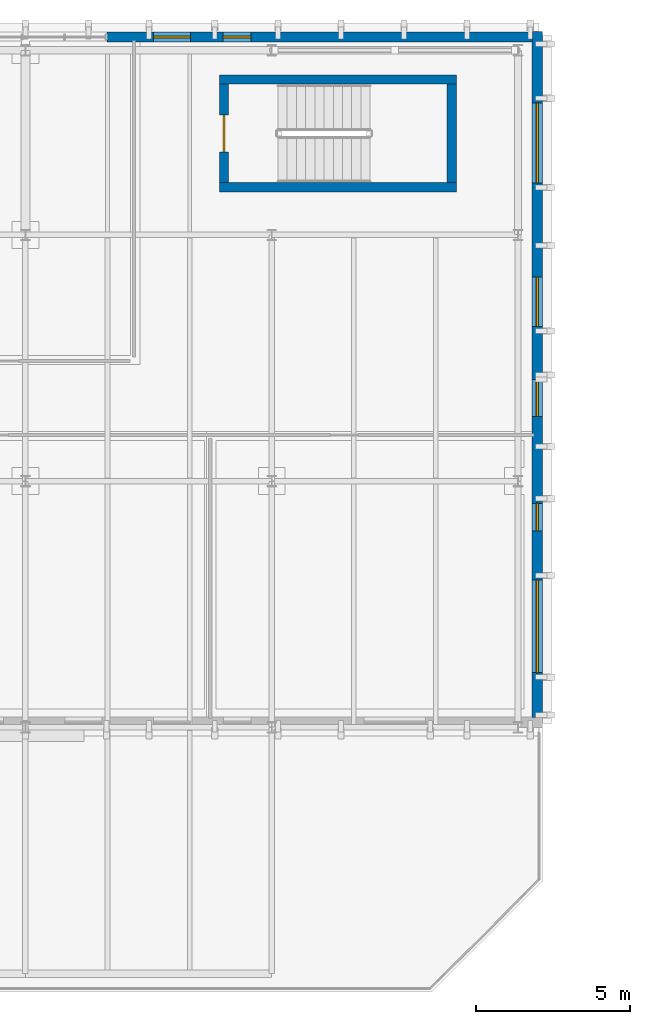
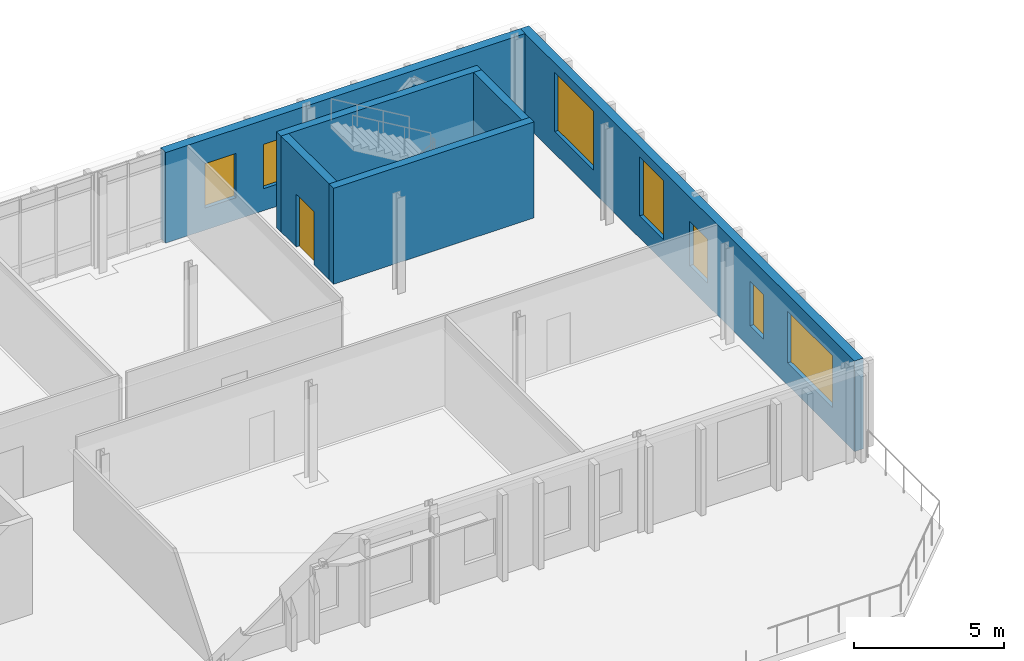
# One storey, part 27 of 43: 7 windows, 6 walls, 1 door, 8 openings.
"""IFC4 building model written with IfcOpenShell, lengths in metres."""

import ifcopenshell
import ifcopenshell.guid

model = None  # the IFC model being written
_history = None  # IfcOwnerHistory: only IFC2X3 demands one
_inside = {}  # id of a spatial element -> (the spatial element, [elements in it])
_under = {}  # id of a project, library or spatial element -> (it, [spatial elements below it])
_declared = {}  # id of a project -> (the project, [libraries it declares])
_typed = {}  # id of a type object -> (the type object, [elements of that type])
_made_of = {}  # id of a material, layer set ... -> (it, [elements and type objects made of it])


def new_model(schema):
    """Start an empty IFC model of exactly this schema.

    Asked for "IFC4X3", IfcOpenShell would pick the latest addendum, in which some entities
    have other attributes; the version numbers below select the first issue.
    IFC2X3 requires an IfcOwnerHistory on every rooted entity: one is made here for all.
    """
    global model, _history
    if schema == "IFC4X3":
        model = ifcopenshell.file(schema_version=(4, 3, 0, 0))
    else:
        model = ifcopenshell.file(schema=schema)
    _inside.clear()
    _under.clear()
    _declared.clear()
    _typed.clear()
    _made_of.clear()
    _history = None
    if model.schema == "IFC2X3":
        org = make("IfcOrganization", Name="unknown")
        user = make(
            "IfcPersonAndOrganization",
            ThePerson=make("IfcPerson", FamilyName="unknown"),
            TheOrganization=org,
        )
        app = make(
            "IfcApplication",
            ApplicationDeveloper=org,
            Version="unknown",
            ApplicationFullName="unknown",
            ApplicationIdentifier="unknown",
        )
        _history = make(
            "IfcOwnerHistory",
            OwningUser=user,
            OwningApplication=app,
            ChangeAction="ADDED",
            CreationDate=0,
        )
    return model


def make(cls, **values):
    """One entity of the class cls with the attributes given. An attribute that is None is left unset."""
    return model.create_entity(
        cls, **{name: value for name, value in values.items() if value is not None}
    )


def rooted(cls, **values):
    """An entity with a GlobalId (a new one), such as an element, a storey or a relation."""
    return make(cls, GlobalId=ifcopenshell.guid.new(), OwnerHistory=_history, **values)


def si_unit(unit_type, name, prefix=None):
    """IfcSIUnit, for example si_unit("LENGTHUNIT", "METRE", prefix="MILLI")."""
    return make("IfcSIUnit", UnitType=unit_type, Prefix=prefix, Name=name)


def assignment(units):
    """IfcUnitAssignment: the units of a project."""
    return None if units is None else make("IfcUnitAssignment", Units=units)


def point(xyz):
    """IfcCartesianPoint."""
    return None if xyz is None else make("IfcCartesianPoint", Coordinates=xyz)


def direction(xyz):
    """IfcDirection."""
    return None if xyz is None else make("IfcDirection", DirectionRatios=xyz)


def frame(location, z_axis=None, x_axis=None):
    """IfcAxis2Placement3D, a coordinate frame: its origin and axes. An axis left out is left unset."""
    return make(
        "IfcAxis2Placement3D",
        Location=point(location),
        Axis=direction(z_axis),
        RefDirection=direction(x_axis),
    )


def frame_2d(location, x_axis=None):
    """IfcAxis2Placement2D, a coordinate frame in the plane: its origin and x axis."""
    return make(
        "IfcAxis2Placement2D", Location=point(location), RefDirection=direction(x_axis)
    )


def origin():
    """The frame at (0, 0, 0) with its axes left unset."""
    return frame((0.0, 0.0, 0.0))


def place(relative_to, where):
    """IfcLocalPlacement: puts the frame where relative to a parent placement (None: the world)."""
    return make(
        "IfcLocalPlacement", PlacementRelTo=relative_to, RelativePlacement=where
    )


def context(
    kind, dimensions, precision=None, world=None, true_north=None, identifier=None
):
    """IfcGeometricRepresentationContext, for example the 3D "Model" context."""
    return make(
        "IfcGeometricRepresentationContext",
        ContextIdentifier=identifier,
        ContextType=kind,
        CoordinateSpaceDimension=dimensions,
        Precision=precision,
        WorldCoordinateSystem=world,
        TrueNorth=true_north,
    )


def subcontext(parent, identifier, kind, view, scale=None):
    """IfcGeometricRepresentationSubContext, for example "Body" below "Model"."""
    return make(
        "IfcGeometricRepresentationSubContext",
        ContextIdentifier=identifier,
        ContextType=kind,
        ParentContext=parent,
        TargetScale=scale,
        TargetView=view,
    )


def project(units=None, contexts=None):
    """IfcProject with its units and contexts."""
    return rooted(
        "IfcProject",
        Name="project",
        RepresentationContexts=contexts,
        UnitsInContext=assignment(units),
    )


def spatial(cls, under=None, at=None, **own):
    """A site, building, storey or space (cls), placed at a placement, below another one or the project."""
    s = rooted(cls, ObjectPlacement=at, **own)
    if under is not None:
        _under.setdefault(under.id(), (under, []))[1].append(s)
    return s


def profile(cls, at=None, kind="AREA", **sizes):
    """A parametric profile (cls). Its sizes go by their IFC names, for example OverallWidth=200.0."""
    return make(cls, ProfileType=kind, Position=at, **sizes)


def rectangle(**sizes):
    """IfcRectangleProfileDef."""
    return profile("IfcRectangleProfileDef", **sizes)


def extrude(swept, where, along, depth):
    """IfcExtrudedAreaSolid: the profile swept, set in the frame where, extruded along a direction by depth."""
    return make(
        "IfcExtrudedAreaSolid",
        SweptArea=swept,
        Position=where,
        ExtrudedDirection=direction(along),
        Depth=depth,
    )


def shape(context_of_items, identifier, shape_type, items):
    """IfcShapeRepresentation: the items that make up one representation, for example the "Body"."""
    return make(
        "IfcShapeRepresentation",
        ContextOfItems=context_of_items,
        RepresentationIdentifier=identifier,
        RepresentationType=shape_type,
        Items=items,
    )


def material(Name=None, Category=None):
    """IfcMaterial."""
    return make("IfcMaterial", Name=Name, Category=Category)


def layer(
    of_material, thickness, ventilated=None, Name=None, Category=None, Priority=None
):
    """IfcMaterialLayer: one layer of a wall or slab, of a material (None: an air gap)."""
    return make(
        "IfcMaterialLayer",
        Material=of_material,
        LayerThickness=thickness,
        IsVentilated=ventilated,
        Name=Name,
        Category=Category,
        Priority=Priority,
    )


def layer_set(layers, Name=None):
    """IfcMaterialLayerSet."""
    return make("IfcMaterialLayerSet", MaterialLayers=layers, LayerSetName=Name)


def made_of(thing, what):
    """Note that an element or type object is made of a material, layer set ...; save() writes the relation."""
    if what is not None:
        _made_of.setdefault(what.id(), (what, []))[1].append(thing)
    return thing


def type_object(cls, material=None, **own):
    """A type object (cls), such as IfcWallType, which elements share."""
    return made_of(rooted(cls, **own), material)


def element(
    cls,
    number,
    at=None,
    inside=None,
    cuts=None,
    type_object=None,
    material=None,
    context=None,
    identifier="Body",
    shape_type=None,
    held_by="IfcProductDefinitionShape",
    body=None,
    shapes=None,
    **own,
):
    """One element of the class cls, such as IfcWall. Its Tag is "e" and its number.

    at: its placement. inside: the storey or other place that contains it. cuts: it is an
    opening in that element (IfcRelVoidsElement). A single representation is given by context,
    identifier, shape_type and body (its items); several are given by shapes. held_by: the class
    of the entity that holds the representations. save() writes the other relations.
    """
    e = rooted(cls, Tag="e%d" % number, ObjectPlacement=at, **own)
    if body is not None:
        shapes = [shape(context, identifier, shape_type, body)]
    if shapes is not None:
        e.Representation = make(held_by, Representations=shapes)
    if inside is not None:
        _inside.setdefault(inside.id(), (inside, []))[1].append(e)
    if cuts is not None:
        rooted(
            "IfcRelVoidsElement", RelatingBuildingElement=cuts, RelatedOpeningElement=e
        )
    if type_object is not None:
        _typed.setdefault(type_object.id(), (type_object, []))[1].append(e)
    return made_of(e, material)


def fill(opening, filler):
    """IfcRelFillsElement: the door or window that sits in an opening."""
    return rooted(
        "IfcRelFillsElement",
        RelatingOpeningElement=opening,
        RelatedBuildingElement=filler,
    )


def aggregate(whole, parts):
    """IfcRelAggregates: a whole, such as a stair, and the parts it consists of."""
    return rooted("IfcRelAggregates", RelatingObject=whole, RelatedObjects=parts)


def save(model, path):
    """Write the relations noted so far, then the file.

    IfcRelAggregates (storeys below a building ...), IfcRelContainedInSpatialStructure (elements
    in a storey), IfcRelDefinesByType, IfcRelAssociatesMaterial and IfcRelDeclares: one each for
    every whole, place, type object, material and project.
    """
    for whole, parts in _under.values():
        aggregate(whole, parts)
    for where, things in _inside.values():
        rooted(
            "IfcRelContainedInSpatialStructure",
            RelatedElements=things,
            RelatingStructure=where,
        )
    for kind, things in _typed.values():
        rooted("IfcRelDefinesByType", RelatedObjects=things, RelatingType=kind)
    for what, things in _made_of.values():
        rooted("IfcRelAssociatesMaterial", RelatedObjects=things, RelatingMaterial=what)
    for by, libraries in _declared.values():
        rooted("IfcRelDeclares", RelatingContext=by, RelatedDefinitions=libraries)
    model.write(path)


model = new_model("IFC4")

# Units and contexts
model_context = context("Model", 3, precision=1e-05, world=origin(), true_north=direction((0.0, 1.0)))
body_context = subcontext(model_context, "Body", "Model", "MODEL_VIEW")
ifc_project = project(units=[si_unit("LENGTHUNIT", "METRE"), si_unit("AREAUNIT", "SQUARE_METRE"), si_unit("VOLUMEUNIT", "CUBIC_METRE"), si_unit("PLANEANGLEUNIT", "RADIAN"), si_unit("MASSUNIT", "GRAM", prefix="KILO")], contexts=[model_context])

# Site, building, storey
site_placement = place(None, origin())
site = spatial("IfcSite", under=ifc_project, at=site_placement, CompositionType="ELEMENT")
building_placement = place(site_placement, origin())
building = spatial("IfcBuilding", under=site, at=building_placement, Name="Cymarion Research Institute", CompositionType="ELEMENT")
storey_placement = place(building_placement, frame((0.0, 0.0, 22.800048828125)))
storey = spatial("IfcBuildingStorey", under=building, at=storey_placement, Name="L05", CompositionType="ELEMENT", Elevation=22.800048828125)

# Wall, openings, windows
ifc_material_1 = material(Name="Precast concrete C40/50", Category="concrete")
ifc_layer_1 = layer(ifc_material_1, 0.340087890625)
ifc_layer_set_1 = layer_set([ifc_layer_1], Name="Precast concrete C40/50")
wall_type_1 = type_object("IfcWallType", Name="EXTERIOR WALL EW-PC340 340MM", PredefinedType="SOLIDWALL", material=ifc_layer_set_1)
wall_1_placement = place(storey_placement, frame((47.22998046875, 93.822021484375, 0.0), z_axis=(0.0, 0.0, 1.0), x_axis=(0.0, 1.0, 0.0)))
wall_1 = element("IfcWall", 1, at=wall_1_placement, inside=storey, type_object=wall_type_1, Name="L05 V5 exterior wall EW-PC340 #245", PredefinedType="SOLIDWALL", context=body_context, shape_type="SweptSolid", body=[
    extrude(rectangle(XDim=22.278076171875, YDim=0.340087890625, at=frame_2d((11.13916015625, 0.0))), origin(), (0.0, 0.0, 1.0), 3.679931640625),
])
opening_1_placement = place(wall_1_placement, frame((1.458984375, 0.0, 0.89990234375)))
opening_1 = element("IfcOpeningElement", 2, at=opening_1_placement, cuts=wall_1, Name="Opening W14", PredefinedType="OPENING", context=body_context, shape_type="SweptSolid", body=[
    extrude(rectangle(XDim=3.0, YDim=2.10009765625, at=frame_2d((1.5, 1.050048828125))), frame((0.0, 0.179931640625, 0.0), z_axis=(0.0, -1.0, 0.0), x_axis=(1.0, 0.0, 0.0)), (0.0, 0.0, 1.0), 0.360107421875),
])
opening_2_placement = place(wall_1_placement, frame((6.05810546875, 0.0, 0.89990234375)))
opening_2 = element("IfcOpeningElement", 3, at=opening_2_placement, cuts=wall_1, Name="Opening W24", PredefinedType="OPENING", context=body_context, shape_type="SweptSolid", body=[
    extrude(rectangle(XDim=0.89990234375, YDim=1.800048828125, at=frame_2d((0.449951171875, 0.89990234375))), frame((0.0, 0.179931640625, 0.0), z_axis=(0.0, -1.0, 0.0), x_axis=(1.0, 0.0, 0.0)), (0.0, 0.0, 1.0), 0.360107421875),
])
opening_3_placement = place(wall_1_placement, frame((9.778076171875, 0.0, 0.89990234375)))
opening_3 = element("IfcOpeningElement", 4, at=opening_3_placement, cuts=wall_1, Name="Opening W01", PredefinedType="OPENING", context=body_context, shape_type="SweptSolid", body=[
    extrude(rectangle(XDim=1.199951171875, YDim=1.800048828125, at=frame_2d((0.60009765625, 0.89990234375))), frame((0.0, 0.179931640625, 0.0), z_axis=(0.0, -1.0, 0.0), x_axis=(1.0, 0.0, 0.0)), (0.0, 0.0, 1.0), 0.360107421875),
])
opening_4_placement = place(wall_1_placement, frame((12.7080078125, 0.0, 0.89990234375)))
opening_4 = element("IfcOpeningElement", 5, at=opening_4_placement, cuts=wall_1, Name="Opening W20", PredefinedType="OPENING", context=body_context, shape_type="SweptSolid", body=[
    extrude(rectangle(XDim=1.60009765625, YDim=2.39990234375, at=frame_2d((0.800048828125, 1.199951171875))), frame((0.0, 0.179931640625, 0.0), z_axis=(0.0, -1.0, 0.0), x_axis=(1.0, 0.0, 0.0)), (0.0, 0.0, 1.0), 0.360107421875),
])
opening_5_placement = place(wall_1_placement, frame((17.367919921875, 0.0, 0.89990234375)))
opening_5 = element("IfcOpeningElement", 6, at=opening_5_placement, cuts=wall_1, Name="Opening W22", PredefinedType="OPENING", context=body_context, shape_type="SweptSolid", body=[
    extrude(rectangle(XDim=2.60009765625, YDim=2.39990234375, at=frame_2d((1.300048828125, 1.199951171875))), frame((0.0, 0.179931640625, 0.0), z_axis=(0.0, -1.0, 0.0), x_axis=(1.0, 0.0, 0.0)), (0.0, 0.0, 1.0), 0.360107421875),
])
ifc_material_2 = material(Name="Thermally broken aluminium window with Low-E glazing", Category="aluminium")
window_type_1 = type_object("IfcWindowType", Name="THERMALLY BROKEN ALUMINIUM WINDOW W01 1200X1800", PartitioningType="SINGLE_PANEL", PredefinedType="WINDOW", material=ifc_material_2)
window_1_placement = place(opening_3_placement, origin())
window_1 = element("IfcWindow", 7, at=window_1_placement, inside=storey, type_object=window_type_1, Name="L05 V5 facade window W01 #451", OverallHeight=1.800048828125, OverallWidth=1.199951171875, PartitioningType="SINGLE_PANEL", PredefinedType="WINDOW", context=body_context, shape_type="SweptSolid", body=[
    extrude(rectangle(XDim=1.199951171875, YDim=1.800048828125, at=frame_2d((0.60009765625, 0.89990234375))), frame((0.0, 0.030029296875, 0.0), z_axis=(0.0, -1.0, 0.0), x_axis=(1.0, 0.0, 0.0)), (0.0, 0.0, 1.0), 0.06005859375),
])
fill(opening_3, window_1)
window_type_2 = type_object("IfcWindowType", Name="THERMALLY BROKEN ALUMINIUM WINDOW W14 3000X2100", PartitioningType="TRIPLE_PANEL_VERTICAL", PredefinedType="WINDOW", material=ifc_material_2)
window_2_placement = place(opening_1_placement, origin())
window_2 = element("IfcWindow", 8, at=window_2_placement, inside=storey, type_object=window_type_2, Name="L05 V5 facade window W14 #449", OverallHeight=2.10009765625, OverallWidth=3.0, PartitioningType="SINGLE_PANEL", PredefinedType="WINDOW", context=body_context, shape_type="SweptSolid", body=[
    extrude(rectangle(XDim=3.0, YDim=2.10009765625, at=frame_2d((1.5, 1.050048828125))), frame((0.0, 0.030029296875, 0.0), z_axis=(0.0, -1.0, 0.0), x_axis=(1.0, 0.0, 0.0)), (0.0, 0.0, 1.0), 0.06005859375),
])
fill(opening_1, window_2)
window_type_3 = type_object("IfcWindowType", Name="THERMALLY BROKEN ALUMINIUM WINDOW W20 1600X2400", PartitioningType="DOUBLE_PANEL_VERTICAL", PredefinedType="WINDOW", material=ifc_material_2)
window_3_placement = place(opening_4_placement, origin())
window_3 = element("IfcWindow", 9, at=window_3_placement, inside=storey, type_object=window_type_3, Name="L05 V5 facade window W20 #452", OverallHeight=2.39990234375, OverallWidth=1.60009765625, PartitioningType="SINGLE_PANEL", PredefinedType="WINDOW", context=body_context, shape_type="SweptSolid", body=[
    extrude(rectangle(XDim=1.60009765625, YDim=2.39990234375, at=frame_2d((0.800048828125, 1.199951171875))), frame((0.0, 0.030029296875, 0.0), z_axis=(0.0, -1.0, 0.0), x_axis=(1.0, 0.0, 0.0)), (0.0, 0.0, 1.0), 0.06005859375),
])
fill(opening_4, window_3)
window_type_4 = type_object("IfcWindowType", Name="THERMALLY BROKEN ALUMINIUM WINDOW W22 2600X2400", PartitioningType="TRIPLE_PANEL_VERTICAL", PredefinedType="WINDOW", material=ifc_material_2)
window_4_placement = place(opening_5_placement, origin())
window_4 = element("IfcWindow", 10, at=window_4_placement, inside=storey, type_object=window_type_4, Name="L05 V5 facade window W22 #453", OverallHeight=2.39990234375, OverallWidth=2.60009765625, PartitioningType="SINGLE_PANEL", PredefinedType="WINDOW", context=body_context, shape_type="SweptSolid", body=[
    extrude(rectangle(XDim=2.60009765625, YDim=2.39990234375, at=frame_2d((1.300048828125, 1.199951171875))), frame((0.0, 0.030029296875, 0.0), z_axis=(0.0, -1.0, 0.0), x_axis=(1.0, 0.0, 0.0)), (0.0, 0.0, 1.0), 0.06005859375),
])
fill(opening_5, window_4)
window_type_5 = type_object("IfcWindowType", Name="THERMALLY BROKEN ALUMINIUM WINDOW W24 900X1800", PartitioningType="SINGLE_PANEL", PredefinedType="WINDOW", material=ifc_material_2)
window_5_placement = place(opening_2_placement, origin())
window_5 = element("IfcWindow", 11, at=window_5_placement, inside=storey, type_object=window_type_5, Name="L05 V5 facade window W24 #450", OverallHeight=1.800048828125, OverallWidth=0.89990234375, PartitioningType="SINGLE_PANEL", PredefinedType="WINDOW", context=body_context, shape_type="SweptSolid", body=[
    extrude(rectangle(XDim=0.89990234375, YDim=1.800048828125, at=frame_2d((0.449951171875, 0.89990234375))), frame((0.0, 0.030029296875, 0.0), z_axis=(0.0, -1.0, 0.0), x_axis=(1.0, 0.0, 0.0)), (0.0, 0.0, 1.0), 0.06005859375),
])
fill(opening_2, window_5)

wall_2_placement = place(storey_placement, frame((47.077880859375, 115.929931640625, 0.0), z_axis=(0.0, 0.0, 1.0), x_axis=(-1.0, 0.0, 0.0)))
wall_2 = element("IfcWall", 12, at=wall_2_placement, inside=storey, type_object=wall_type_1, Name="L05 V5 facade pier wall EW-PC340 #246", PredefinedType="SOLIDWALL", context=body_context, shape_type="SweptSolid", body=[
    extrude(rectangle(XDim=13.825927734375, YDim=0.340087890625, at=frame_2d((6.9130859375, 0.0))), origin(), (0.0, 0.0, 1.0), 3.679931640625),
])
opening_6_placement = place(wall_2_placement, frame((9.157958984375, 0.0, 0.89990234375)))
opening_6 = element("IfcOpeningElement", 13, at=opening_6_placement, cuts=wall_2, Name="Opening W24", PredefinedType="OPENING", context=body_context, shape_type="SweptSolid", body=[
    extrude(rectangle(XDim=0.89990234375, YDim=1.800048828125, at=frame_2d((0.449951171875, 0.89990234375))), frame((0.0, 0.179931640625, 0.0), z_axis=(0.0, -1.0, 0.0), x_axis=(1.0, 0.0, 0.0)), (0.0, 0.0, 1.0), 0.360107421875),
])
opening_7_placement = place(wall_2_placement, frame((11.117919921875, 0.0, 0.89990234375)))
opening_7 = element("IfcOpeningElement", 14, at=opening_7_placement, cuts=wall_2, Name="Opening W01", PredefinedType="OPENING", context=body_context, shape_type="SweptSolid", body=[
    extrude(rectangle(XDim=1.199951171875, YDim=1.800048828125, at=frame_2d((0.60009765625, 0.89990234375))), frame((0.0, 0.179931640625, 0.0), z_axis=(0.0, -1.0, 0.0), x_axis=(1.0, 0.0, 0.0)), (0.0, 0.0, 1.0), 0.360107421875),
])
window_6_placement = place(opening_7_placement, origin())
window_6 = element("IfcWindow", 15, at=window_6_placement, inside=storey, type_object=window_type_1, Name="L05 V5 facade window W01 #455", OverallHeight=1.800048828125, OverallWidth=1.199951171875, PartitioningType="SINGLE_PANEL", PredefinedType="WINDOW", context=body_context, shape_type="SweptSolid", body=[
    extrude(rectangle(XDim=1.199951171875, YDim=1.800048828125, at=frame_2d((0.60009765625, 0.89990234375))), frame((0.0, 0.030029296875, 0.0), z_axis=(0.0, -1.0, 0.0), x_axis=(1.0, 0.0, 0.0)), (0.0, 0.0, 1.0), 0.06005859375),
])
fill(opening_7, window_6)
window_7_placement = place(opening_6_placement, origin())
window_7 = element("IfcWindow", 16, at=window_7_placement, inside=storey, type_object=window_type_5, Name="L05 V5 facade window W24 #454", OverallHeight=1.800048828125, OverallWidth=0.89990234375, PartitioningType="SINGLE_PANEL", PredefinedType="WINDOW", context=body_context, shape_type="SweptSolid", body=[
    extrude(rectangle(XDim=0.89990234375, YDim=1.800048828125, at=frame_2d((0.449951171875, 0.89990234375))), frame((0.0, 0.030029296875, 0.0), z_axis=(0.0, -1.0, 0.0), x_axis=(1.0, 0.0, 0.0)), (0.0, 0.0, 1.0), 0.06005859375),
])
fill(opening_6, window_7)

# Walls
ifc_material_3 = material(Name="Concrete C40/50", Category="concrete")
ifc_layer_2 = layer(ifc_material_3, 0.300048828125)
ifc_layer_set_2 = layer_set([ifc_layer_2], Name="Concrete C40/50")
wall_type_2 = type_object("IfcWallType", Name="REINFORCED CONCRETE CORE WALL CW-SH300 300MM", PredefinedType="SHEAR", material=ifc_layer_set_2)
for number, where, z_axis, x_axis, name in (
    (17, (36.89990234375, 111.050048828125, 0.0), (0.0, 0.0, 1.0), (1.0, 0.0, 0.0), "L05 SHW-C10-L05 south core wall"),
    (18, (44.60009765625, 114.550048828125, 0.0), (0.0, 0.0, 1.0), (-1.0, 0.0, 0.0), "L05 SHW-C10-L05 north core wall"),
):
    element("IfcWall", number, at=place(storey_placement, frame(where, z_axis=z_axis, x_axis=x_axis)), inside=storey, type_object=wall_type_2, Name=name, PredefinedType="SHEAR", context=body_context, shape_type="SweptSolid", body=[
        extrude(rectangle(XDim=7.7001953125, YDim=0.300048828125, at=frame_2d((3.85009765625, 0.0))), origin(), (0.0, 0.0, 1.0), 3.89990234375),
    ])

# Wall, opening, door
wall_3_placement = place(storey_placement, frame((37.050048828125, 114.39990234375, 0.0), z_axis=(0.0, 0.0, 1.0), x_axis=(0.0, -1.0, 0.0)))
wall_3 = element("IfcWall", 19, at=wall_3_placement, inside=storey, type_object=wall_type_2, Name="L05 SHW-C10-L05 west core wall", PredefinedType="SHEAR", context=body_context, shape_type="SweptSolid", body=[
    extrude(rectangle(XDim=3.199951171875, YDim=0.300048828125, at=frame_2d((1.60009765625, 0.0))), origin(), (0.0, 0.0, 1.0), 3.89990234375),
])
opening_8_placement = place(wall_3_placement, frame((1.0, 0.0, 0.0)))
opening_8 = element("IfcOpeningElement", 20, at=opening_8_placement, cuts=wall_3, Name="Opening FD-L05-ST10", PredefinedType="OPENING", context=body_context, shape_type="SweptSolid", body=[
    extrude(rectangle(XDim=1.199951171875, YDim=2.14990234375, at=frame_2d((0.60009765625, 1.074951171875))), frame((0.0, 0.159912109375, 0.0), z_axis=(0.0, -1.0, 0.0), x_axis=(1.0, 0.0, 0.0)), (0.0, 0.0, 1.0), 0.320068359375),
])
ifc_material_4 = material(Name="Fire-rated insulated steel door assembly", Category="steel")
door_type = type_object("IfcDoorType", Name="SMOKE PROOF STAIR FIRE DOOR DT-ST120 1200X2150", OperationType="NOTDEFINED", PredefinedType="DOOR", material=ifc_material_4)
door_placement = place(opening_8_placement, origin())
door = element("IfcDoor", 21, at=door_placement, inside=storey, type_object=door_type, Name="L05 ST10 smoke-proof stair door FD-L05-ST10", OperationType="SINGLE_SWING_RIGHT", OverallHeight=2.14990234375, OverallWidth=1.199951171875, PredefinedType="DOOR", context=body_context, shape_type="SweptSolid", body=[
    extrude(rectangle(XDim=1.199951171875, YDim=2.14990234375, at=frame_2d((0.60009765625, 1.074951171875))), frame((0.0, 0.02490234375, 0.0), z_axis=(0.0, -1.0, 0.0), x_axis=(1.0, 0.0, 0.0)), (0.0, 0.0, 1.0), 0.050048828125),
])
fill(opening_8, door)

# Wall
wall_4_placement = place(storey_placement, frame((44.449951171875, 111.199951171875, 0.0), z_axis=(0.0, 0.0, 1.0), x_axis=(0.0, 1.0, 0.0)))
element("IfcWall", 22, at=wall_4_placement, inside=storey, type_object=wall_type_2, Name="L05 SHW-C10-L05 east core wall", PredefinedType="SHEAR", context=body_context, shape_type="SweptSolid", body=[
    extrude(rectangle(XDim=3.199951171875, YDim=0.300048828125, at=frame_2d((1.60009765625, 0.0))), origin(), (0.0, 0.0, 1.0), 3.89990234375),
])

save(model, "model.ifc")
